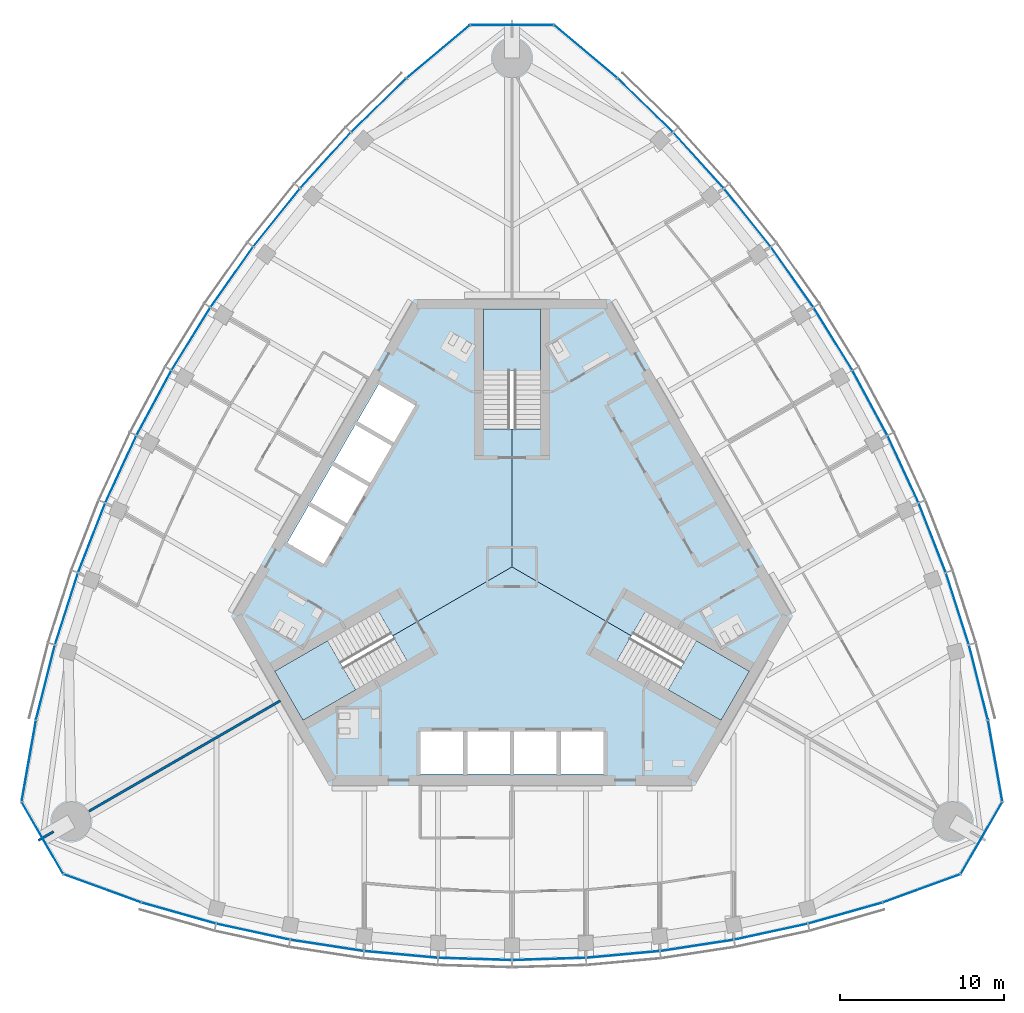
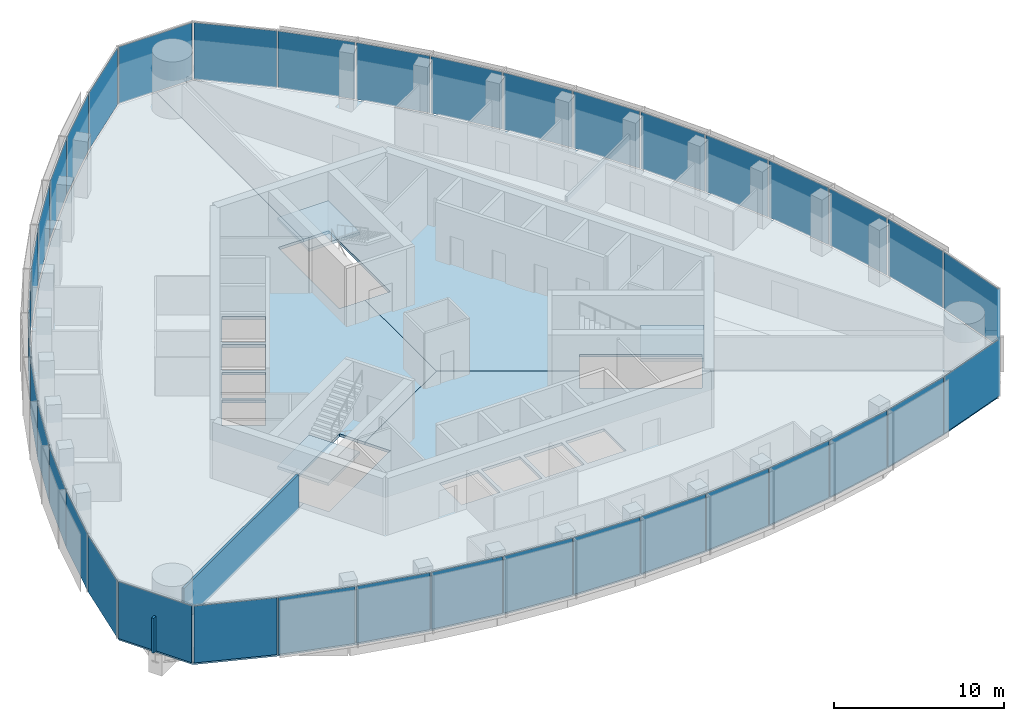
# One storey, part 7 of 16: 39 plates, 6 slabs, 2 walls, 9 elements without a shape of their own.
"""IFC4 building model written with IfcOpenShell, lengths in metres."""

from ifc_helpers import new_model, si_unit, direction, frame, frame_2d, origin, origin_2d, place, context, subcontext, project, spatial, polyline, rectangle, outline, extrude, material, layer, layer_set, type_object, element, aggregate, save


model = new_model("IFC4")

# Units and contexts
model_context = context("Model", 3, precision=1e-05, world=origin(), true_north=direction((0.0, 1.0)))
body_context = subcontext(model_context, "Body", "Model", "MODEL_VIEW")
ifc_project = project(units=[si_unit("LENGTHUNIT", "METRE"), si_unit("AREAUNIT", "SQUARE_METRE"), si_unit("VOLUMEUNIT", "CUBIC_METRE"), si_unit("PLANEANGLEUNIT", "RADIAN"), si_unit("MASSUNIT", "GRAM", prefix="KILO")], contexts=[model_context])

# Site, building, storey
site_placement = place(None, origin())
site = spatial("IfcSite", under=ifc_project, at=site_placement, CompositionType="ELEMENT")
building_placement = place(site_placement, origin())
building = spatial("IfcBuilding", under=site, at=building_placement, Name="Trefoil Bronze Tower", CompositionType="ELEMENT")
storey_placement = place(building_placement, frame((0.0, 0.0, 301.5)))
storey = spatial("IfcBuildingStorey", under=building, at=storey_placement, Name="L69", CompositionType="ELEMENT", Elevation=301.5)

# Curtain wall, plates
ifc_material_1 = material(Name="Tinted solar-control glass", Category="glass")
curtain_wall_type_1 = type_object("IfcCurtainWallType", Name="Bronze office curtain wall", PredefinedType="USERDEFINED", material=ifc_material_1)
curtain_wall_1_placement = place(storey_placement, origin())
curtain_wall_1 = element("IfcCurtainWall", 1, at=curtain_wall_1_placement, inside=storey, type_object=curtain_wall_type_1, Name="CW-A L69 F1", ObjectType="CURTAIN WALL", PredefinedType="USERDEFINED")
ifc_material_2 = material(Name="Tinted solar-control glass", Category="glass")
ifc_layer_1 = layer(ifc_material_2, 0.030029296875)
ifc_layer_set_1 = layer_set([ifc_layer_1], Name="Bronze office curtain wall glass panel")
plate_type_1 = type_object("IfcPlateType", Name="Bronze office curtain wall glass panel", PredefinedType="CURTAIN_PANEL", material=ifc_layer_set_1)
plate_1_placement = place(storey_placement, frame((-20.301513671875, -21.092529296875, 0.0), z_axis=(0.0, 0.0, 1.0), x_axis=(0.962097746943, -0.272704831875, 0.0)))
plate_1 = element("IfcPlate", 2, at=plate_1_placement, type_object=plate_type_1, Name="CW-A L69 F1 panel 1", PredefinedType="CURTAIN_PANEL", context=body_context, shape_type="SweptSolid", body=[
    extrude(rectangle(XDim=4.6474609375, YDim=0.030029296875, at=origin_2d()), origin(), (0.0, 0.0, 1.0), 4.080078125),
])
plate_2_placement = place(storey_placement, frame((-15.771240234375, -22.226318359375, 0.0), z_axis=(0.0, 0.0, 1.0), x_axis=(0.977303138829, -0.211845639168, 0.0)))
plate_2 = element("IfcPlate", 3, at=plate_2_placement, type_object=plate_type_1, Name="CW-A L69 F1 panel 2", PredefinedType="CURTAIN_PANEL", context=body_context, shape_type="SweptSolid", body=[
    extrude(rectangle(XDim=4.5244140625, YDim=0.030029296875, at=origin_2d()), origin(), (0.0, 0.0, 1.0), 4.080078125),
])
plate_3_placement = place(storey_placement, frame((-11.26513671875, -23.0595703125, 0.0), z_axis=(0.0, 0.0, 1.0), x_axis=(0.988485337216, -0.151316681529, 0.0)))
plate_3 = element("IfcPlate", 4, at=plate_3_placement, type_object=plate_type_1, Name="CW-A L69 F1 panel 3", PredefinedType="CURTAIN_PANEL", context=body_context, shape_type="SweptSolid", body=[
    extrude(rectangle(XDim=4.472412109375, YDim=0.030029296875, at=origin_2d()), origin(), (0.0, 0.0, 1.0), 4.080078125),
])
plate_4_placement = place(storey_placement, frame((-6.759033203125, -23.60986328125, 0.0), z_axis=(0.0, 0.0, 1.0), x_axis=(0.99587011625, -0.090789380212, 0.0)))
plate_4 = element("IfcPlate", 5, at=plate_4_placement, type_object=plate_type_1, Name="CW-A L69 F1 panel 4", PredefinedType="CURTAIN_PANEL", context=body_context, shape_type="SweptSolid", body=[
    extrude(rectangle(XDim=4.438720703125, YDim=0.030029296875, at=origin_2d()), origin(), (0.0, 0.0, 1.0), 4.080078125),
])
plate_5_placement = place(storey_placement, frame((-2.2529296875, -23.883544921875, 0.0), z_axis=(0.0, 0.0, 1.0), x_axis=(0.999541969785, -0.030263024264, 0.0)))
plate_5 = element("IfcPlate", 6, at=plate_5_placement, type_object=plate_type_1, Name="CW-A L69 F1 panel 5", PredefinedType="CURTAIN_PANEL", context=body_context, shape_type="SweptSolid", body=[
    extrude(rectangle(XDim=4.422119140625, YDim=0.030029296875, at=origin_2d()), origin(), (0.0, 0.0, 1.0), 4.080078125),
])
plate_6_placement = place(storey_placement, frame((2.2529296875, -23.883544921875, 0.0), z_axis=(0.0, 0.0, 1.0), x_axis=(0.999541969785, 0.030263024264, 0.0)))
plate_6 = element("IfcPlate", 7, at=plate_6_placement, type_object=plate_type_1, Name="CW-A L69 F1 panel 6", PredefinedType="CURTAIN_PANEL", context=body_context, shape_type="SweptSolid", body=[
    extrude(rectangle(XDim=4.422119140625, YDim=0.030029296875, at=origin_2d()), origin(), (0.0, 0.0, 1.0), 4.080078125),
])
plate_7_placement = place(storey_placement, frame((6.759033203125, -23.60986328125, 0.0), z_axis=(0.0, 0.0, 1.0), x_axis=(0.99587011625, 0.090789380212, 0.0)))
plate_7 = element("IfcPlate", 8, at=plate_7_placement, type_object=plate_type_1, Name="CW-A L69 F1 panel 7", PredefinedType="CURTAIN_PANEL", context=body_context, shape_type="SweptSolid", body=[
    extrude(rectangle(XDim=4.438720703125, YDim=0.030029296875, at=origin_2d()), origin(), (0.0, 0.0, 1.0), 4.080078125),
])
plate_8_placement = place(storey_placement, frame((11.26513671875, -23.0595703125, 0.0), z_axis=(0.0, 0.0, 1.0), x_axis=(0.988485337216, 0.151316681529, 0.0)))
plate_8 = element("IfcPlate", 9, at=plate_8_placement, type_object=plate_type_1, Name="CW-A L69 F1 panel 8", PredefinedType="CURTAIN_PANEL", context=body_context, shape_type="SweptSolid", body=[
    extrude(rectangle(XDim=4.472412109375, YDim=0.030029296875, at=origin_2d()), origin(), (0.0, 0.0, 1.0), 4.080078125),
])
plate_9_placement = place(storey_placement, frame((15.771240234375, -22.226318359375, 0.0), z_axis=(0.0, 0.0, 1.0), x_axis=(0.977303138829, 0.211845639168, 0.0)))
plate_9 = element("IfcPlate", 10, at=plate_9_placement, type_object=plate_type_1, Name="CW-A L69 F1 panel 9", PredefinedType="CURTAIN_PANEL", context=body_context, shape_type="SweptSolid", body=[
    extrude(rectangle(XDim=4.5244140625, YDim=0.030029296875, at=origin_2d()), origin(), (0.0, 0.0, 1.0), 4.080078125),
])
plate_10_placement = place(storey_placement, frame((20.301513671875, -21.092529296875, 0.0), z_axis=(0.0, 0.0, 1.0), x_axis=(0.962097746943, 0.272704831875, 0.0)))
plate_10 = element("IfcPlate", 11, at=plate_10_placement, type_object=plate_type_1, Name="CW-A L69 F1 panel 10", PredefinedType="CURTAIN_PANEL", context=body_context, shape_type="SweptSolid", body=[
    extrude(rectangle(XDim=4.6474609375, YDim=0.030029296875, at=origin_2d()), origin(), (0.0, 0.0, 1.0), 4.080078125),
])
aggregate(curtain_wall_1, [plate_1, plate_2, plate_3, plate_4, plate_5, plate_6, plate_7, plate_8, plate_9, plate_10])

curtain_wall_2_placement = place(storey_placement, origin())
curtain_wall_2 = element("IfcCurtainWall", 12, at=curtain_wall_2_placement, inside=storey, type_object=curtain_wall_type_1, Name="CW-A L69 F2", ObjectType="CURTAIN WALL", PredefinedType="USERDEFINED")
plate_11_placement = place(storey_placement, frame((28.417236328125, -7.035400390625, 0.0), z_axis=(0.0, 0.0, 1.0), x_axis=(-0.244879561333, 0.969553505713, 0.0)))
plate_11 = element("IfcPlate", 13, at=plate_11_placement, type_object=plate_type_1, Name="CW-A L69 F2 panel 1", PredefinedType="CURTAIN_PANEL", context=body_context, shape_type="SweptSolid", body=[
    extrude(rectangle(XDim=4.6474609375, YDim=0.030029296875, at=origin_2d()), origin(), (0.0, 0.0, 1.0), 4.080078125),
])
plate_12_placement = place(storey_placement, frame((27.134033203125, -2.545166015625, 0.0), z_axis=(0.0, 0.0, 1.0), x_axis=(-0.305187864214, 0.952292165009, 0.0)))
plate_12 = element("IfcPlate", 14, at=plate_12_placement, type_object=plate_type_1, Name="CW-A L69 F2 panel 2", PredefinedType="CURTAIN_PANEL", context=body_context, shape_type="SweptSolid", body=[
    extrude(rectangle(XDim=4.5244140625, YDim=0.030029296875, at=origin_2d()), origin(), (0.0, 0.0, 1.0), 4.080078125),
])
plate_13_placement = place(storey_placement, frame((25.602783203125, 1.77392578125, 0.0), z_axis=(0.0, 0.0, 1.0), x_axis=(-0.363198578387, 0.931711754062, 0.0)))
plate_13 = element("IfcPlate", 15, at=plate_13_placement, type_object=plate_type_1, Name="CW-A L69 F2 panel 3", PredefinedType="CURTAIN_PANEL", context=body_context, shape_type="SweptSolid", body=[
    extrude(rectangle(XDim=4.472412109375, YDim=0.030029296875, at=origin_2d()), origin(), (0.0, 0.0, 1.0), 4.080078125),
])
plate_14_placement = place(storey_placement, frame((23.826171875, 5.951416015625, 0.0), z_axis=(0.0, 0.0, 1.0), x_axis=(-0.419309148468, 0.907843509649, 0.0)))
plate_14 = element("IfcPlate", 16, at=plate_14_placement, type_object=plate_type_1, Name="CW-A L69 F2 panel 4", PredefinedType="CURTAIN_PANEL", context=body_context, shape_type="SweptSolid", body=[
    extrude(rectangle(XDim=4.438720703125, YDim=0.030029296875, at=origin_2d()), origin(), (0.0, 0.0, 1.0), 4.080078125),
])
plate_15_placement = place(storey_placement, frame((21.81005859375, 9.990478515625, 0.0), z_axis=(0.0, 0.0, 1.0), x_axis=(-0.473562437085, 0.880760250115, 0.0)))
plate_15 = element("IfcPlate", 17, at=plate_15_placement, type_object=plate_type_1, Name="CW-A L69 F2 panel 5", PredefinedType="CURTAIN_PANEL", context=body_context, shape_type="SweptSolid", body=[
    extrude(rectangle(XDim=4.422119140625, YDim=0.030029296875, at=origin_2d()), origin(), (0.0, 0.0, 1.0), 4.080078125),
])
plate_16_placement = place(storey_placement, frame((19.55712890625, 13.892822265625, 0.0), z_axis=(0.0, 0.0, 1.0), x_axis=(-0.525979532701, 0.850497225851, 0.0)))
plate_16 = element("IfcPlate", 18, at=plate_16_placement, type_object=plate_type_1, Name="CW-A L69 F2 panel 6", PredefinedType="CURTAIN_PANEL", context=body_context, shape_type="SweptSolid", body=[
    extrude(rectangle(XDim=4.422119140625, YDim=0.030029296875, at=origin_2d()), origin(), (0.0, 0.0, 1.0), 4.080078125),
])
plate_17_placement = place(storey_placement, frame((17.067138671875, 17.658447265625, 0.0), z_axis=(0.0, 0.0, 1.0), x_axis=(-0.576560967783, 0.817054129437, 0.0)))
plate_17 = element("IfcPlate", 19, at=plate_17_placement, type_object=plate_type_1, Name="CW-A L69 F2 panel 7", PredefinedType="CURTAIN_PANEL", context=body_context, shape_type="SweptSolid", body=[
    extrude(rectangle(XDim=4.438720703125, YDim=0.030029296875, at=origin_2d()), origin(), (0.0, 0.0, 1.0), 4.080078125),
])
plate_18_placement = place(storey_placement, frame((14.337646484375, 21.28564453125, 0.0), z_axis=(0.0, 0.0, 1.0), x_axis=(-0.625286758829, 0.780395072533, 0.0)))
plate_18 = element("IfcPlate", 20, at=plate_18_placement, type_object=plate_type_1, Name="CW-A L69 F2 panel 8", PredefinedType="CURTAIN_PANEL", context=body_context, shape_type="SweptSolid", body=[
    extrude(rectangle(XDim=4.472412109375, YDim=0.030029296875, at=origin_2d()), origin(), (0.0, 0.0, 1.0), 4.080078125),
])
plate_19_placement = place(storey_placement, frame((11.36279296875, 24.771484375, 0.0), z_axis=(0.0, 0.0, 1.0), x_axis=(-0.672115274615, 0.74044652584, 0.0)))
plate_19 = element("IfcPlate", 21, at=plate_19_placement, type_object=plate_type_1, Name="CW-A L69 F2 panel 9", PredefinedType="CURTAIN_PANEL", context=body_context, shape_type="SweptSolid", body=[
    extrude(rectangle(XDim=4.5244140625, YDim=0.030029296875, at=origin_2d()), origin(), (0.0, 0.0, 1.0), 4.080078125),
])
plate_20_placement = place(storey_placement, frame((8.115966796875, 28.127685546875, 0.0), z_axis=(0.0, 0.0, 1.0), x_axis=(-0.71721818561, 0.696848673839, 0.0)))
plate_20 = element("IfcPlate", 22, at=plate_20_placement, type_object=plate_type_1, Name="CW-A L69 F2 panel 10", PredefinedType="CURTAIN_PANEL", context=body_context, shape_type="SweptSolid", body=[
    extrude(rectangle(XDim=4.6474609375, YDim=0.030029296875, at=origin_2d()), origin(), (0.0, 0.0, 1.0), 4.080078125),
])
aggregate(curtain_wall_2, [plate_11, plate_12, plate_13, plate_14, plate_15, plate_16, plate_17, plate_18, plate_19, plate_20])

curtain_wall_3_placement = place(storey_placement, origin())
curtain_wall_3 = element("IfcCurtainWall", 23, at=curtain_wall_3_placement, inside=storey, type_object=curtain_wall_type_1, Name="CW-A L69 F3", ObjectType="CURTAIN WALL", PredefinedType="USERDEFINED")
plate_21_placement = place(storey_placement, frame((-8.115966796875, 28.127685546875, 0.0), z_axis=(0.0, 0.0, 1.0), x_axis=(-0.71721818561, -0.696848673839, 0.0)))
plate_21 = element("IfcPlate", 24, at=plate_21_placement, type_object=plate_type_1, Name="CW-A L69 F3 panel 1", PredefinedType="CURTAIN_PANEL", context=body_context, shape_type="SweptSolid", body=[
    extrude(rectangle(XDim=4.6474609375, YDim=0.030029296875, at=origin_2d()), origin(), (0.0, 0.0, 1.0), 4.080078125),
])
plate_22_placement = place(storey_placement, frame((-11.36279296875, 24.771484375, 0.0), z_axis=(0.0, 0.0, 1.0), x_axis=(-0.672115274615, -0.74044652584, 0.0)))
plate_22 = element("IfcPlate", 25, at=plate_22_placement, type_object=plate_type_1, Name="CW-A L69 F3 panel 2", PredefinedType="CURTAIN_PANEL", context=body_context, shape_type="SweptSolid", body=[
    extrude(rectangle(XDim=4.5244140625, YDim=0.030029296875, at=origin_2d()), origin(), (0.0, 0.0, 1.0), 4.080078125),
])
plate_23_placement = place(storey_placement, frame((-14.337646484375, 21.28564453125, 0.0), z_axis=(0.0, 0.0, 1.0), x_axis=(-0.625286758829, -0.780395072533, 0.0)))
plate_23 = element("IfcPlate", 26, at=plate_23_placement, type_object=plate_type_1, Name="CW-A L69 F3 panel 3", PredefinedType="CURTAIN_PANEL", context=body_context, shape_type="SweptSolid", body=[
    extrude(rectangle(XDim=4.472412109375, YDim=0.030029296875, at=origin_2d()), origin(), (0.0, 0.0, 1.0), 4.080078125),
])
plate_24_placement = place(storey_placement, frame((-17.067138671875, 17.658447265625, 0.0), z_axis=(0.0, 0.0, 1.0), x_axis=(-0.576560967783, -0.817054129437, 0.0)))
plate_24 = element("IfcPlate", 27, at=plate_24_placement, type_object=plate_type_1, Name="CW-A L69 F3 panel 4", PredefinedType="CURTAIN_PANEL", context=body_context, shape_type="SweptSolid", body=[
    extrude(rectangle(XDim=4.438720703125, YDim=0.030029296875, at=origin_2d()), origin(), (0.0, 0.0, 1.0), 4.080078125),
])
plate_25_placement = place(storey_placement, frame((-19.55712890625, 13.892822265625, 0.0), z_axis=(0.0, 0.0, 1.0), x_axis=(-0.525979532701, -0.850497225851, 0.0)))
plate_25 = element("IfcPlate", 28, at=plate_25_placement, type_object=plate_type_1, Name="CW-A L69 F3 panel 5", PredefinedType="CURTAIN_PANEL", context=body_context, shape_type="SweptSolid", body=[
    extrude(rectangle(XDim=4.422119140625, YDim=0.030029296875, at=origin_2d()), origin(), (0.0, 0.0, 1.0), 4.080078125),
])
plate_26_placement = place(storey_placement, frame((-21.81005859375, 9.990478515625, 0.0), z_axis=(0.0, 0.0, 1.0), x_axis=(-0.473562437085, -0.880760250115, 0.0)))
plate_26 = element("IfcPlate", 29, at=plate_26_placement, type_object=plate_type_1, Name="CW-A L69 F3 panel 6", PredefinedType="CURTAIN_PANEL", context=body_context, shape_type="SweptSolid", body=[
    extrude(rectangle(XDim=4.422119140625, YDim=0.030029296875, at=origin_2d()), origin(), (0.0, 0.0, 1.0), 4.080078125),
])
plate_27_placement = place(storey_placement, frame((-23.826171875, 5.951416015625, 0.0), z_axis=(0.0, 0.0, 1.0), x_axis=(-0.419309148468, -0.907843509649, 0.0)))
plate_27 = element("IfcPlate", 30, at=plate_27_placement, type_object=plate_type_1, Name="CW-A L69 F3 panel 7", PredefinedType="CURTAIN_PANEL", context=body_context, shape_type="SweptSolid", body=[
    extrude(rectangle(XDim=4.438720703125, YDim=0.030029296875, at=origin_2d()), origin(), (0.0, 0.0, 1.0), 4.080078125),
])
plate_28_placement = place(storey_placement, frame((-25.602783203125, 1.77392578125, 0.0), z_axis=(0.0, 0.0, 1.0), x_axis=(-0.363198578387, -0.931711754062, 0.0)))
plate_28 = element("IfcPlate", 31, at=plate_28_placement, type_object=plate_type_1, Name="CW-A L69 F3 panel 8", PredefinedType="CURTAIN_PANEL", context=body_context, shape_type="SweptSolid", body=[
    extrude(rectangle(XDim=4.472412109375, YDim=0.030029296875, at=origin_2d()), origin(), (0.0, 0.0, 1.0), 4.080078125),
])
plate_29_placement = place(storey_placement, frame((-27.134033203125, -2.545166015625, 0.0), z_axis=(0.0, 0.0, 1.0), x_axis=(-0.305187864214, -0.952292165009, 0.0)))
plate_29 = element("IfcPlate", 32, at=plate_29_placement, type_object=plate_type_1, Name="CW-A L69 F3 panel 9", PredefinedType="CURTAIN_PANEL", context=body_context, shape_type="SweptSolid", body=[
    extrude(rectangle(XDim=4.5244140625, YDim=0.030029296875, at=origin_2d()), origin(), (0.0, 0.0, 1.0), 4.080078125),
])
plate_30_placement = place(storey_placement, frame((-28.417236328125, -7.035400390625, 0.0), z_axis=(0.0, 0.0, 1.0), x_axis=(-0.244879561333, -0.969553505713, 0.0)))
plate_30 = element("IfcPlate", 33, at=plate_30_placement, type_object=plate_type_1, Name="CW-A L69 F3 panel 10", PredefinedType="CURTAIN_PANEL", context=body_context, shape_type="SweptSolid", body=[
    extrude(rectangle(XDim=4.6474609375, YDim=0.030029296875, at=origin_2d()), origin(), (0.0, 0.0, 1.0), 4.080078125),
])
aggregate(curtain_wall_3, [plate_21, plate_22, plate_23, plate_24, plate_25, plate_26, plate_27, plate_28, plate_29, plate_30])

ifc_material_3 = material(Name="Tinted solar-control glass", Category="glass")
curtain_wall_type_2 = type_object("IfcCurtainWallType", Name="Bronze rounded corner curtain wall", PredefinedType="USERDEFINED", material=ifc_material_3)
curtain_wall_4_placement = place(storey_placement, origin())
curtain_wall_4 = element("IfcCurtainWall", 34, at=curtain_wall_4_placement, inside=storey, type_object=curtain_wall_type_2, Name="CW-B L69 K1", ObjectType="CURTAIN WALL", PredefinedType="USERDEFINED")
ifc_material_4 = material(Name="Tinted solar-control glass", Category="glass")
ifc_layer_2 = layer(ifc_material_4, 0.030029296875)
ifc_layer_set_2 = layer_set([ifc_layer_2], Name="Bronze rounded corner curtain wall glass panel")
plate_type_2 = type_object("IfcPlateType", Name="Bronze rounded corner curtain wall glass panel", PredefinedType="CURTAIN_PANEL", material=ifc_layer_set_2)
plate_31_placement = place(storey_placement, frame((24.939453125, -19.587646484375, 0.0), z_axis=(0.0, 0.0, 1.0), x_axis=(0.939692620786, 0.342020143326, 0.0)))
plate_31 = element("IfcPlate", 35, at=plate_31_placement, type_object=plate_type_2, Name="CW-B L69 K1 panel 1", PredefinedType="CURTAIN_PANEL", context=body_context, shape_type="SweptSolid", body=[
    extrude(rectangle(XDim=4.956298828125, YDim=0.030029296875, at=origin_2d()), origin(), (0.0, 0.0, 1.0), 4.080078125),
])
plate_32_placement = place(storey_placement, frame((28.602783203125, -16.513916015625, 0.0), z_axis=(0.0, 0.0, 1.0), x_axis=(0.5, 0.866025403784, 0.0)))
plate_32 = element("IfcPlate", 36, at=plate_32_placement, type_object=plate_type_2, Name="CW-B L69 K1 panel 2", PredefinedType="CURTAIN_PANEL", context=body_context, shape_type="SweptSolid", body=[
    extrude(rectangle(XDim=4.956298828125, YDim=0.030029296875, at=origin_2d()), origin(), (0.0, 0.0, 1.0), 4.080078125),
])
plate_33_placement = place(storey_placement, frame((29.43310546875, -11.80419921875, 0.0), z_axis=(0.0, 0.0, 1.0), x_axis=(-0.173648177667, 0.984807753012, 0.0)))
plate_33 = element("IfcPlate", 37, at=plate_33_placement, type_object=plate_type_2, Name="CW-B L69 K1 panel 3", PredefinedType="CURTAIN_PANEL", context=body_context, shape_type="SweptSolid", body=[
    extrude(rectangle(XDim=4.956298828125, YDim=0.030029296875, at=origin_2d()), origin(), (0.0, 0.0, 1.0), 4.080078125),
])
aggregate(curtain_wall_4, [plate_31, plate_32, plate_33])

curtain_wall_5_placement = place(storey_placement, origin())
curtain_wall_5 = element("IfcCurtainWall", 38, at=curtain_wall_5_placement, inside=storey, type_object=curtain_wall_type_2, Name="CW-B L69 K2", ObjectType="CURTAIN WALL", PredefinedType="USERDEFINED")
plate_34_placement = place(storey_placement, frame((4.493896484375, 31.39208984375, 0.0), z_axis=(0.0, 0.0, 1.0), x_axis=(-0.766044443119, 0.642787609687, 0.0)))
plate_34 = element("IfcPlate", 39, at=plate_34_placement, type_object=plate_type_2, Name="CW-B L69 K2 panel 1", PredefinedType="CURTAIN_PANEL", context=body_context, shape_type="SweptSolid", body=[
    extrude(rectangle(XDim=4.956298828125, YDim=0.030029296875, at=origin_2d()), origin(), (0.0, 0.0, 1.0), 4.080078125),
])
plate_35_placement = place(storey_placement, frame((0.0, 33.027587890625, 0.0), z_axis=(0.0, 0.0, 1.0), x_axis=(-1.0, 0.0, 0.0)))
plate_35 = element("IfcPlate", 40, at=plate_35_placement, type_object=plate_type_2, Name="CW-B L69 K2 panel 2", PredefinedType="CURTAIN_PANEL", context=body_context, shape_type="SweptSolid", body=[
    extrude(rectangle(XDim=4.956298828125, YDim=0.030029296875, at=origin_2d()), origin(), (0.0, 0.0, 1.0), 4.080078125),
])
plate_36_placement = place(storey_placement, frame((-4.493896484375, 31.39208984375, 0.0), z_axis=(0.0, 0.0, 1.0), x_axis=(-0.766044443119, -0.642787609687, 0.0)))
plate_36 = element("IfcPlate", 41, at=plate_36_placement, type_object=plate_type_2, Name="CW-B L69 K2 panel 3", PredefinedType="CURTAIN_PANEL", context=body_context, shape_type="SweptSolid", body=[
    extrude(rectangle(XDim=4.956298828125, YDim=0.030029296875, at=origin_2d()), origin(), (0.0, 0.0, 1.0), 4.080078125),
])
aggregate(curtain_wall_5, [plate_34, plate_35, plate_36])

curtain_wall_6_placement = place(storey_placement, origin())
curtain_wall_6 = element("IfcCurtainWall", 42, at=curtain_wall_6_placement, inside=storey, type_object=curtain_wall_type_2, Name="CW-B L69 K3", ObjectType="CURTAIN WALL", PredefinedType="USERDEFINED")
plate_37_placement = place(storey_placement, frame((-29.43310546875, -11.80419921875, 0.0), z_axis=(0.0, 0.0, 1.0), x_axis=(-0.173648177667, -0.984807753012, 0.0)))
plate_37 = element("IfcPlate", 43, at=plate_37_placement, type_object=plate_type_2, Name="CW-B L69 K3 panel 1", PredefinedType="CURTAIN_PANEL", context=body_context, shape_type="SweptSolid", body=[
    extrude(rectangle(XDim=4.956298828125, YDim=0.030029296875, at=origin_2d()), origin(), (0.0, 0.0, 1.0), 4.080078125),
])
plate_38_placement = place(storey_placement, frame((-28.602783203125, -16.513916015625, 0.0), z_axis=(0.0, 0.0, 1.0), x_axis=(0.5, -0.866025403784, 0.0)))
plate_38 = element("IfcPlate", 44, at=plate_38_placement, type_object=plate_type_2, Name="CW-B L69 K3 panel 2", PredefinedType="CURTAIN_PANEL", context=body_context, shape_type="SweptSolid", body=[
    extrude(rectangle(XDim=4.956298828125, YDim=0.030029296875, at=origin_2d()), origin(), (0.0, 0.0, 1.0), 4.080078125),
])
plate_39_placement = place(storey_placement, frame((-24.939453125, -19.587646484375, 0.0), z_axis=(0.0, 0.0, 1.0), x_axis=(0.939692620786, -0.342020143326, 0.0)))
plate_39 = element("IfcPlate", 45, at=plate_39_placement, type_object=plate_type_2, Name="CW-B L69 K3 panel 3", PredefinedType="CURTAIN_PANEL", context=body_context, shape_type="SweptSolid", body=[
    extrude(rectangle(XDim=4.956298828125, YDim=0.030029296875, at=origin_2d()), origin(), (0.0, 0.0, 1.0), 4.080078125),
])
aggregate(curtain_wall_6, [plate_37, plate_38, plate_39])

# Slabs
ifc_material_5 = material(Name="Concrete B30", Category="concrete")
ifc_layer_3 = layer(ifc_material_5, 0.199951171875)
ifc_layer_set_3 = layer_set([ifc_layer_3], Name="Floor slab 200")
slab_type_1 = type_object("IfcSlabType", Name="Floor slab 200", PredefinedType="FLOOR", material=ifc_layer_set_3)
slab_1_placement = place(storey_placement, frame((0.0, 0.0, -0.199951171875)))
element("IfcSlab", 46, at=slab_1_placement, inside=storey, type_object=slab_type_1, Name="Floor slab L69 face 1", PredefinedType="FLOOR", context=body_context, shape_type="SweptSolid", body=[
    extrude(outline(polyline([(13.5, -22.6162109375), (9.0, -23.30517578125), (4.5, -23.71533203125), (0.0, -23.8515625), (-4.5, -23.71533203125), (-9.0, -23.30517578125), (-13.5, -22.6162109375), (-18.0, -21.640869140625), (-22.54833984375, -20.3515625), (-27.261962890625, -18.635986328125), (-28.51611328125, -16.4638671875), (-13.510009765625, -7.800048828125), (-12.6474609375, -9.2939453125), (-6.412109375, -5.69384765625), (-7.274658203125, -4.199951171875), (0.0, 0.0), (7.274658203125, -4.199951171875), (6.412109375, -5.69384765625), (12.6474609375, -9.2939453125), (13.510009765625, -7.800048828125), (28.51611328125, -16.4638671875), (27.261962890625, -18.635986328125), (22.54833984375, -20.3515625), (18.0, -21.640869140625), (13.5, -22.6162109375)]), holes=[polyline([(-5.574951171875, -10.02490234375), (-2.97509765625, -10.02490234375), (-2.97509765625, -12.60009765625), (-5.574951171875, -12.60009765625), (-5.574951171875, -10.02490234375)]), polyline([(-2.72509765625, -10.02490234375), (-0.125, -10.02490234375), (-0.125, -12.60009765625), (-2.72509765625, -12.60009765625), (-2.72509765625, -10.02490234375)]), polyline([(0.125, -10.02490234375), (2.72509765625, -10.02490234375), (2.72509765625, -12.60009765625), (0.125, -12.60009765625), (0.125, -10.02490234375)]), polyline([(2.97509765625, -10.02490234375), (5.574951171875, -10.02490234375), (5.574951171875, -12.60009765625), (2.97509765625, -12.60009765625), (2.97509765625, -10.02490234375)])]), origin(), (0.0, 0.0, 1.0), 0.199951171875),
])
slab_2_placement = place(storey_placement, frame((0.0, 0.0, -0.199951171875)))
element("IfcSlab", 47, at=slab_2_placement, inside=storey, type_object=slab_type_1, Name="Floor slab L69 face 2", PredefinedType="FLOOR", context=body_context, shape_type="SweptSolid", body=[
    extrude(outline(polyline([(12.836181640625, 22.99951171875), (15.682861328125, 19.44677734375), (18.2880859375, 15.7548828125), (20.656005859375, 11.92578125), (22.7880859375, 7.96044921875), (24.682861328125, 3.8583984375), (26.336181640625, -0.38330078125), (27.741455078125, -4.76806640625), (28.899169921875, -9.3515625), (29.770263671875, -14.291748046875), (28.51611328125, -16.4638671875), (13.510009765625, -7.800048828125), (14.37255859375, -6.30615234375), (8.13720703125, -2.7060546875), (7.274658203125, -4.199951171875), (0.0, 0.0), (0.0, 8.39990234375), (1.72509765625, 8.39990234375), (1.72509765625, 15.60009765625), (0.0, 15.60009765625), (0.0, 32.927490234375), (2.508056640625, 32.927490234375), (6.350830078125, 29.703125), (9.741455078125, 26.408935546875), (12.836181640625, 22.99951171875)])), origin(), (0.0, 0.0, 1.0), 0.199951171875),
])
slab_3_placement = place(storey_placement, frame((0.0, 0.0, -0.199951171875)))
element("IfcSlab", 48, at=slab_3_placement, inside=storey, type_object=slab_type_1, Name="Floor slab L69 face 3", PredefinedType="FLOOR", context=body_context, shape_type="SweptSolid", body=[
    extrude(outline(polyline([(-26.336181640625, -0.38330078125), (-24.682861328125, 3.8583984375), (-22.7880859375, 7.96044921875), (-20.656005859375, 11.92578125), (-18.2880859375, 15.7548828125), (-15.682861328125, 19.44677734375), (-12.836181640625, 22.99951171875), (-9.741455078125, 26.408935546875), (-6.350830078125, 29.703125), (-2.508056640625, 32.927490234375), (0.0, 32.927490234375), (0.0, 15.60009765625), (-1.72509765625, 15.60009765625), (-1.72509765625, 8.39990234375), (0.0, 8.39990234375), (0.0, 0.0), (-7.274658203125, -4.199951171875), (-8.13720703125, -2.7060546875), (-14.37255859375, -6.30615234375), (-13.510009765625, -7.800048828125), (-28.51611328125, -16.4638671875), (-29.770263671875, -14.291748046875), (-28.899169921875, -9.3515625), (-27.741455078125, -4.76806640625), (-26.336181640625, -0.38330078125)]), holes=[polyline([(-5.894287109375, 9.840576171875), (-7.1943359375, 7.5888671875), (-9.42431640625, 8.87646484375), (-8.12451171875, 11.128173828125), (-5.894287109375, 9.840576171875)]), polyline([(-7.3193359375, 7.372314453125), (-8.619384765625, 5.120849609375), (-10.849365234375, 6.408203125), (-9.54931640625, 8.659912109375), (-7.3193359375, 7.372314453125)]), polyline([(-8.744384765625, 4.904296875), (-10.04443359375, 2.652587890625), (-12.2744140625, 3.940185546875), (-10.974365234375, 6.191650390625), (-8.744384765625, 4.904296875)]), polyline([(-10.16943359375, 2.43603515625), (-11.469482421875, 0.184326171875), (-13.699462890625, 1.471923828125), (-12.3994140625, 3.7236328125), (-10.16943359375, 2.43603515625)])]), origin(), (0.0, 0.0, 1.0), 0.199951171875),
])

# Stair, slab
ifc_material_6 = material(Name="Precast concrete B80", Category="concrete")
stair_type = type_object("IfcStairType", Name="Exit stair 26 risers", PredefinedType="HALF_TURN_STAIR", material=ifc_material_6)
stair_1_placement = place(storey_placement, origin())
stair_1 = element("IfcStair", 49, at=stair_1_placement, inside=storey, type_object=stair_type, Name="Stair ST1 L69", PredefinedType="HALF_TURN_STAIR")
ifc_material_7 = material(Name="Concrete B30", Category="concrete")
ifc_layer_4 = layer(ifc_material_7, 0.199951171875)
ifc_layer_set_4 = layer_set([ifc_layer_4], Name="Stair landing 200")
slab_type_2 = type_object("IfcSlabType", Name="Stair landing 200", PredefinedType="LANDING", material=ifc_layer_set_4)
slab_4_placement = place(storey_placement, frame((0.0, 0.0, 1.89990234375)))
slab_4 = element("IfcSlab", 50, at=slab_4_placement, type_object=slab_type_2, Name="ST1 landing 1", PredefinedType="LANDING", context=body_context, shape_type="SweptSolid", body=[
    extrude(outline(polyline([(9.512451171875, -7.48388671875), (12.734130859375, -9.343994140625), (14.458984375, -6.356201171875), (11.237548828125, -4.49609375), (9.512451171875, -7.48388671875)])), origin(), (0.0, 0.0, 1.0), 0.2001953125),
])
aggregate(stair_1, [slab_4])

stair_2_placement = place(storey_placement, origin())
stair_2 = element("IfcStair", 51, at=stair_2_placement, inside=storey, type_object=stair_type, Name="Stair ST2 L69", PredefinedType="HALF_TURN_STAIR")
slab_5_placement = place(storey_placement, frame((0.0, 0.0, 1.89990234375)))
slab_5 = element("IfcSlab", 52, at=slab_5_placement, type_object=slab_type_2, Name="ST2 landing 1", PredefinedType="LANDING", context=body_context, shape_type="SweptSolid", body=[
    extrude(outline(polyline([(1.72509765625, 11.97998046875), (1.72509765625, 15.699951171875), (-1.72509765625, 15.699951171875), (-1.72509765625, 11.97998046875), (1.72509765625, 11.97998046875)])), origin(), (0.0, 0.0, 1.0), 0.2001953125),
])
aggregate(stair_2, [slab_5])

stair_3_placement = place(storey_placement, origin())
stair_3 = element("IfcStair", 53, at=stair_3_placement, inside=storey, type_object=stair_type, Name="Stair ST3 L69", PredefinedType="HALF_TURN_STAIR")
slab_6_placement = place(storey_placement, frame((0.0, 0.0, 1.89990234375)))
slab_6 = element("IfcSlab", 54, at=slab_6_placement, type_object=slab_type_2, Name="ST3 landing 1", PredefinedType="LANDING", context=body_context, shape_type="SweptSolid", body=[
    extrude(outline(polyline([(-11.237548828125, -4.49609375), (-14.458984375, -6.356201171875), (-12.734130859375, -9.343994140625), (-9.512451171875, -7.48388671875), (-11.237548828125, -4.49609375)])), origin(), (0.0, 0.0, 1.0), 0.2001953125),
])
aggregate(stair_3, [slab_6])

# Walls
ifc_material_8 = material(Name="Gypsum board on steel studs", Category="steel")
ifc_layer_5 = layer(ifc_material_8, 0.14990234375)
ifc_layer_set_5 = layer_set([ifc_layer_5], Name="Party wall 150")
wall_type = type_object("IfcWallType", Name="Party wall 150", PredefinedType="PARTITIONING", material=ifc_layer_set_5)
wall_1_placement = place(storey_placement, frame((-14.1162109375, -8.14990234375, 0.0), z_axis=(0.0, 0.0, 1.0), x_axis=(-0.866020541135, -0.500008422262, 0.0)))
element("IfcWall", 55, at=wall_1_placement, inside=storey, type_object=wall_type, Name="Party wall K3 L69", PredefinedType="PARTITIONING", context=body_context, shape_type="SweptSolid", body=[
    extrude(rectangle(XDim=13.449951171875, YDim=0.14990234375, at=frame_2d((6.72509765625, 0.0))), origin(), (0.0, 0.0, 1.0), 2.5),
])
wall_2_placement = place(storey_placement, frame((-27.92919921875, -16.125, 0.0), z_axis=(0.0, 0.0, 1.0), x_axis=(-0.866086810508, -0.499893625349, 0.0)))
element("IfcWall", 56, at=wall_2_placement, inside=storey, type_object=wall_type, Name="Party wall K3 L69", PredefinedType="PARTITIONING", context=body_context, shape_type="SweptSolid", body=[
    extrude(rectangle(XDim=1.070068359375, YDim=0.14990234375, at=frame_2d((0.53515625, 0.0))), origin(), (0.0, 0.0, 1.0), 2.5),
])

save(model, "model.ifc")
